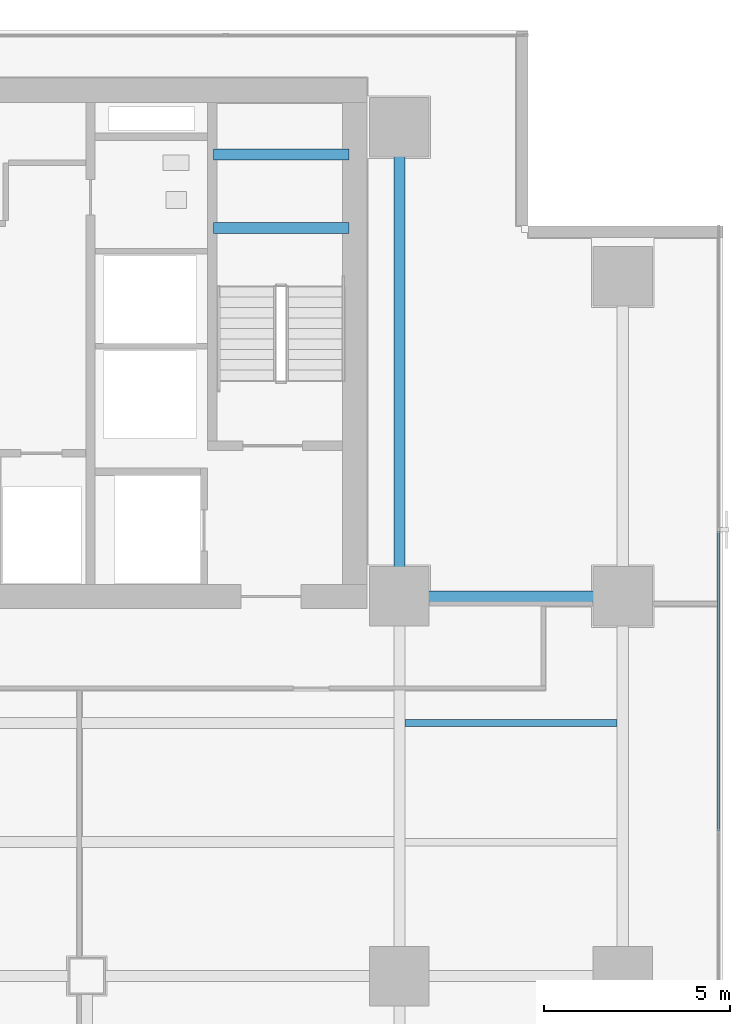
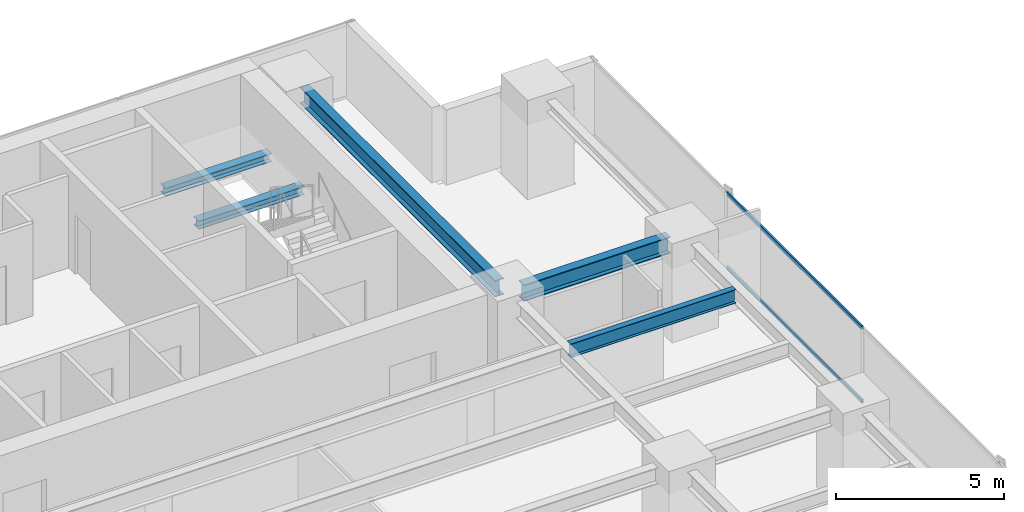
# One storey, part 23 of 37: 5 beams, 2 members, 1 element without a shape of its own.
"""IFC4 building model written with IfcOpenShell, lengths in metres."""

from ifc_helpers import new_model, si_unit, direction, frame, origin, origin_2d, place, context, subcontext, project, spatial, hollow_rectangle, i_section, extrude, source, transform, mapped, material, layer, layer_set, material_profile, profile_set, type_object, element, aggregate, save


model = new_model("IFC4")

# Units and contexts
model_context = context("Model", 3, precision=1e-05, world=origin(), true_north=direction((0.0, 1.0)))
body_context = subcontext(model_context, "Body", "Model", "MODEL_VIEW")
ifc_project = project(units=[si_unit("LENGTHUNIT", "METRE"), si_unit("AREAUNIT", "SQUARE_METRE"), si_unit("VOLUMEUNIT", "CUBIC_METRE"), si_unit("PLANEANGLEUNIT", "RADIAN"), si_unit("MASSUNIT", "GRAM", prefix="KILO")], contexts=[model_context])

# Site, building, storey
site_placement = place(None, origin())
site = spatial("IfcSite", under=ifc_project, at=site_placement, CompositionType="ELEMENT")
building_placement = place(site_placement, origin())
building = spatial("IfcBuilding", under=site, at=building_placement, Name="Sumidabori Civic Tower", CompositionType="ELEMENT")
storey_placement = place(building_placement, frame((0.0, 0.0, 88.39990234375)))
storey = spatial("IfcBuildingStorey", under=building, at=storey_placement, Name="L22", CompositionType="ELEMENT", Elevation=88.39990234375)

# Beams
ifc_material_1 = material(Name="Steel SN490", Category="steel")
ifc_material_profile_1 = material_profile(ifc_material_1, i_section(OverallWidth=0.300048828125, OverallDepth=0.300048828125, WebThickness=0.010986328125, FlangeThickness=0.01904296875, at=origin_2d()), Name="HE 300 B")
ifc_profile_set_1 = profile_set([ifc_material_profile_1], Name="Steel SN490")
beam_type_1 = type_object("IfcBeamType", Name="BM-LDG-300", PredefinedType="BEAM", material=ifc_profile_set_1)
shared_shape_1 = source(origin(), body_context, "Body", "SweptSolid", [
    extrude(i_section(OverallWidth=0.300048828125, OverallDepth=0.300048828125, WebThickness=0.010986328125, FlangeThickness=0.01904296875, at=origin_2d()), origin(), (0.0, 0.0, 1.0), 3.64990234375),
])
for number, where, z_axis, x_axis, name in (
    (1, (11.800048828125, 20.09765625, 1.4501953125), (1.0, 0.0, 0.0), (0.0, 1.0, 0.0), "Stair ST-2 Landing Support Beam L22-1A"),
    (2, (11.800048828125, 22.069580078125, 1.4501953125), (1.0, 0.0, 0.0), (0.0, 1.0, 0.0), "Stair ST-2 Landing Trimmer Beam L22-1B"),
):
    element("IfcBeam", number, at=place(storey_placement, frame(where, z_axis=z_axis, x_axis=x_axis)), inside=storey, type_object=beam_type_1, Name=name, PredefinedType="BEAM", context=body_context, shape_type="MappedRepresentation", body=[
        mapped(shared_shape_1, transform((0.0, 0.0, 0.0), x_axis=(1.0, 0.0, 0.0), y_axis=(0.0, 1.0, 0.0), z_axis=(0.0, 0.0, 1.0), scale=1.0)),
    ])
ifc_material_profile_2 = material_profile(ifc_material_1, i_section(OverallWidth=0.300048828125, OverallDepth=0.60009765625, WebThickness=0.015380859375, FlangeThickness=0.030029296875, at=origin_2d()), Name="HE 600 B")
ifc_profile_set_2 = profile_set([ifc_material_profile_2], Name="Steel SN490")
beam_type_2 = type_object("IfcBeamType", Name="BM-GIRD-600", PredefinedType="BEAM", material=ifc_profile_set_2)
shared_shape_2 = source(origin(), body_context, "Body", "SweptSolid", [
    extrude(i_section(OverallWidth=0.300048828125, OverallDepth=0.60009765625, WebThickness=0.015380859375, FlangeThickness=0.030029296875, at=origin_2d()), origin(), (0.0, 0.0, 1.0), 5.0400390625),
])
beam_1_placement = place(storey_placement, frame((17.280029296875, 10.199951171875, 3.06005859375), z_axis=(1.0, 0.0, 0.0), x_axis=(0.0, 1.0, 0.0)))
element("IfcBeam", 3, at=beam_1_placement, inside=storey, type_object=beam_type_2, Name="Primary Girder L22 GX-20", PredefinedType="BEAM", context=body_context, shape_type="MappedRepresentation", body=[
    mapped(shared_shape_2, transform((0.0, 0.0, 0.0), x_axis=(1.0, 0.0, 0.0), y_axis=(0.0, 1.0, 0.0), z_axis=(0.0, 0.0, 1.0), scale=1.0)),
])
shared_shape_3 = source(origin(), body_context, "Body", "SweptSolid", [
    extrude(i_section(OverallWidth=0.300048828125, OverallDepth=0.60009765625, WebThickness=0.015380859375, FlangeThickness=0.030029296875, at=origin_2d()), origin(), (0.0, 0.0, 1.0), 11.64013671875),
])
beam_2_placement = place(storey_placement, frame((16.800048828125, 10.679931640625, 3.06005859375), z_axis=(0.0, 1.0, 0.0), x_axis=(-1.0, 0.0, 0.0)))
element("IfcBeam", 4, at=beam_2_placement, inside=storey, type_object=beam_type_2, Name="Primary Girder L22 GY-38", PredefinedType="BEAM", context=body_context, shape_type="MappedRepresentation", body=[
    mapped(shared_shape_3, transform((0.0, 0.0, 0.0), x_axis=(1.0, 0.0, 0.0), y_axis=(0.0, 1.0, 0.0), z_axis=(0.0, 0.0, 1.0), scale=1.0)),
])
ifc_material_profile_3 = material_profile(ifc_material_1, i_section(OverallWidth=0.199951171875, OverallDepth=0.5, WebThickness=0.01025390625, FlangeThickness=0.01611328125, at=origin_2d()), Name="IPE 500")
ifc_profile_set_3 = profile_set([ifc_material_profile_3], Name="Steel SN490")
beam_type_3 = type_object("IfcBeamType", Name="BM-JST-500", PredefinedType="JOIST", material=ifc_profile_set_3)
shared_shape_4 = source(origin(), body_context, "Body", "SweptSolid", [
    extrude(i_section(OverallWidth=0.199951171875, OverallDepth=0.5, WebThickness=0.01025390625, FlangeThickness=0.01611328125, at=origin_2d()), origin(), (0.0, 0.0, 1.0), 5.699951171875),
])
beam_3_placement = place(storey_placement, frame((16.949951171875, 6.800048828125, 3.110107421875), z_axis=(1.0, 0.0, 0.0), x_axis=(0.0, 1.0, 0.0)))
element("IfcBeam", 5, at=beam_3_placement, inside=storey, type_object=beam_type_3, Name="Outer Bay Floor Joist L22 JSTO-50", PredefinedType="JOIST", context=body_context, shape_type="MappedRepresentation", body=[
    mapped(shared_shape_4, transform((0.0, 0.0, 0.0), x_axis=(1.0, 0.0, 0.0), y_axis=(0.0, 1.0, 0.0), z_axis=(0.0, 0.0, 1.0), scale=1.0)),
])

# Curtain wall, members
ifc_material_2 = material(Name="Anodised Bronze Aluminium AW-6063-T6", Category="aluminium")
ifc_layer = layer(ifc_material_2, 0.179931640625, Name="Anodised Bronze Aluminium AW-6063-T6")
ifc_layer_set = layer_set([ifc_layer], Name="Anodised Bronze Aluminium AW-6063-T6")
curtain_wall_type = type_object("IfcCurtainWallType", Name="CW-SYS-3", PredefinedType="NOTDEFINED", material=ifc_layer_set)
curtain_wall_placement = place(storey_placement, origin())
curtain_wall = element("IfcCurtainWall", 6, at=curtain_wall_placement, inside=storey, type_object=curtain_wall_type, Name="Curtain Wall CW:L22:R04", PredefinedType="NOTDEFINED")
ifc_material_profile_4 = material_profile(ifc_material_2, hollow_rectangle(XDim=0.06005859375, YDim=0.1298828125, WallThickness=0.0048828125, at=origin_2d()), Name="ALU TRANSOM 130x60")
ifc_profile_set_4 = profile_set([ifc_material_profile_4], Name="Anodised Bronze Aluminium AW-6063-T6")
member_type = type_object("IfcMemberType", Name="CW-TRN-130", PredefinedType="USERDEFINED", material=ifc_profile_set_4)
shared_shape_5 = source(origin(), body_context, "Body", "SweptSolid", [
    extrude(hollow_rectangle(XDim=0.06005859375, YDim=0.1298828125, WallThickness=0.0048828125, at=origin_2d()), origin(), (0.0, 0.0, 1.0), 8.06298828125),
])
member_1_placement = place(storey_placement, frame((25.3798828125, 3.896484375, 0.030029296875), z_axis=(0.0, 1.0, 0.0), x_axis=(-1.0, 0.0, 0.0)))
member_1 = element("IfcMember", 7, at=member_1_placement, type_object=member_type, Name="CW-3 transom 4.1", ObjectType="TRANSOM", PredefinedType="USERDEFINED", context=body_context, shape_type="MappedRepresentation", body=[
    mapped(shared_shape_5, transform((0.0, 0.0, 0.0), x_axis=(1.0, 0.0, 0.0), y_axis=(0.0, 1.0, 0.0), z_axis=(0.0, 0.0, 1.0), scale=1.0)),
])
member_2_placement = place(storey_placement, frame((25.3798828125, 3.896484375, 2.710205078125), z_axis=(0.0, 1.0, 0.0), x_axis=(-1.0, 0.0, 0.0)))
member_2 = element("IfcMember", 8, at=member_2_placement, type_object=member_type, Name="CW-3 transom 4.2", ObjectType="TRANSOM", PredefinedType="USERDEFINED", context=body_context, shape_type="MappedRepresentation", body=[
    mapped(shared_shape_5, transform((0.0, 0.0, 0.0), x_axis=(1.0, 0.0, 0.0), y_axis=(0.0, 1.0, 0.0), z_axis=(0.0, 0.0, 1.0), scale=1.0)),
])
aggregate(curtain_wall, [member_1, member_2])

save(model, "model.ifc")
